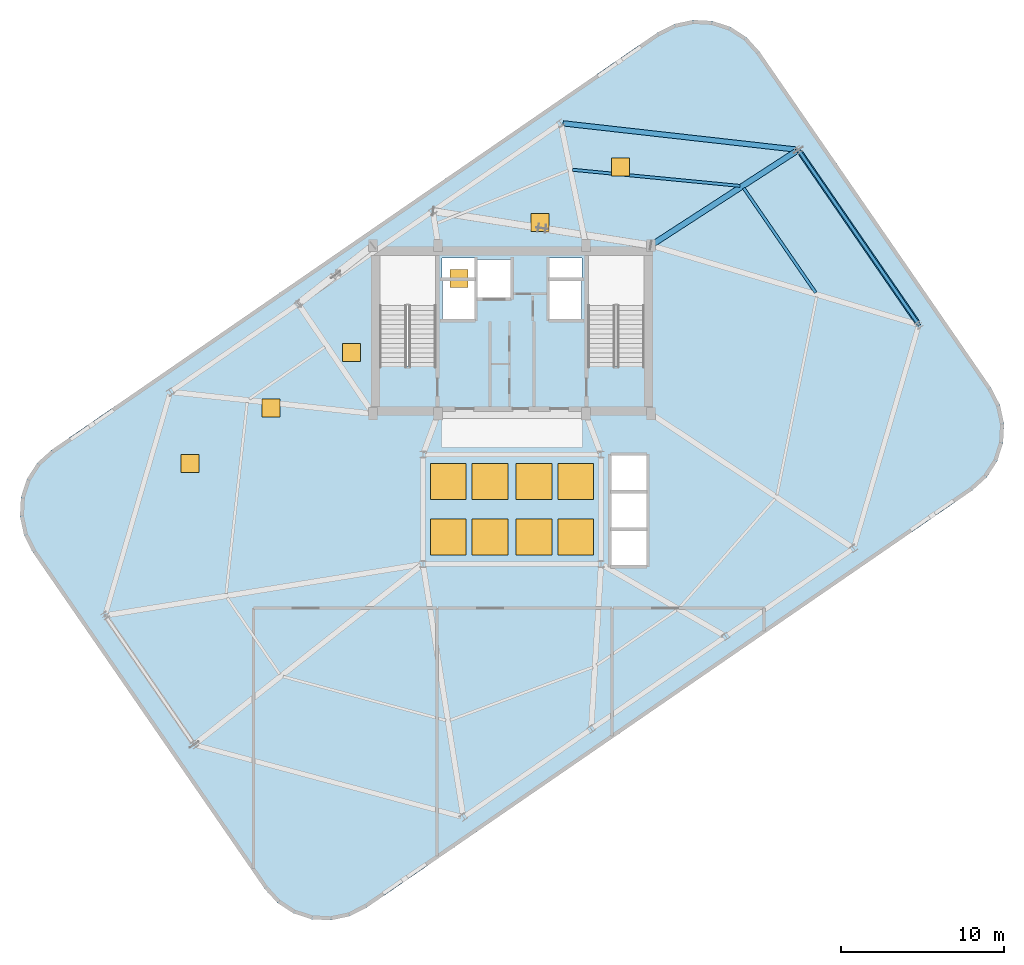
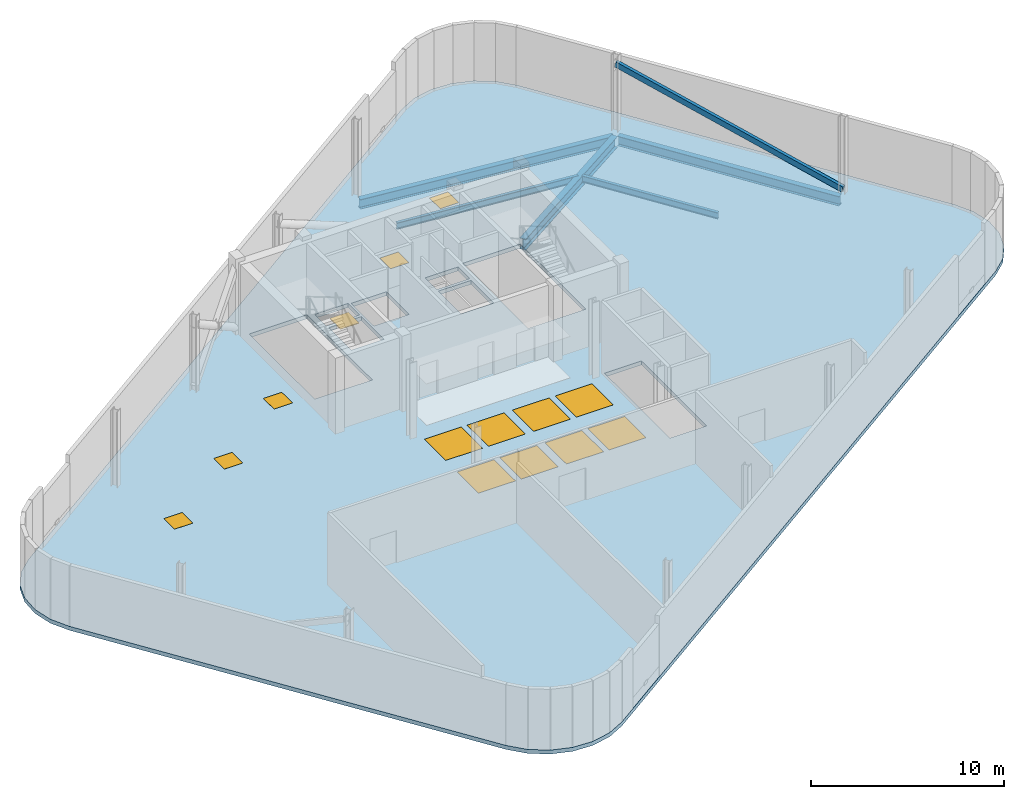
# One storey, part 2 of 9: 8 windows, 6 doors, 5 beams, 1 member, 1 slab, 14 openings.
"""IFC4 building model written with IfcOpenShell, lengths in metres."""

from ifc_helpers import new_model, si_unit, direction, frame, origin, origin_2d, place, context, subcontext, project, spatial, polyline, rectangle, hollow_rectangle, i_section, outline, extrude, material, layer, layer_set, material_profile, profile_set, type_object, element, fill, save


model = new_model("IFC4")

# Units and contexts
model_context = context("Model", 3, precision=1e-05, world=origin(), true_north=direction((0.0, 1.0)))
body_context = subcontext(model_context, "Body", "Model", "MODEL_VIEW")
ifc_project = project(units=[si_unit("LENGTHUNIT", "METRE"), si_unit("AREAUNIT", "SQUARE_METRE"), si_unit("VOLUMEUNIT", "CUBIC_METRE"), si_unit("PLANEANGLEUNIT", "RADIAN"), si_unit("MASSUNIT", "GRAM", prefix="KILO")], contexts=[model_context])

# Site, building, storey
site_placement = place(None, origin())
site = spatial("IfcSite", under=ifc_project, at=site_placement, CompositionType="ELEMENT")
building_placement = place(site_placement, origin())
building = spatial("IfcBuilding", under=site, at=building_placement, Name="Varnelok Gate Tower", CompositionType="ELEMENT")
storey_placement = place(building_placement, frame((0.0, 0.0, 301.10009765625)))
storey = spatial("IfcBuildingStorey", under=building, at=storey_placement, Name="L77", CompositionType="ELEMENT", Elevation=301.10009765625)

# Beams
ifc_material_1 = material(Name="Structural Steel ASTM A992 Grade 50", Category="steel")
ifc_material_profile_1 = material_profile(ifc_material_1, i_section(OverallWidth=0.180908203125, OverallDepth=0.4169921875, WebThickness=0.010986328125, FlangeThickness=0.018310546875, FilletRadius=0.013916015625, at=origin_2d()), Name="W16X57")
ifc_profile_set_1 = profile_set([ifc_material_profile_1], Name="Structural Steel ASTM A992 Grade 50")
beam_type_1 = type_object("IfcBeamType", Name="BM-JST-W16X57", PredefinedType="JOIST", material=ifc_profile_set_1)
beam_1_placement = place(storey_placement, frame((57.787841796875, 36.154296875, -0.45849609375), z_axis=(-0.567258417374, 0.823539852053, 0.0), x_axis=(-0.823539852053, -0.567258417374, 0.0)))
element("IfcBeam", 1, at=beam_1_placement, inside=storey, type_object=beam_type_1, Name="L77 Sector Floor Joist 5", PredefinedType="JOIST", context=body_context, shape_type="SweptSolid", body=[
    extrude(i_section(OverallWidth=0.180908203125, OverallDepth=0.4169921875, WebThickness=0.010986328125, FlangeThickness=0.018310546875, FilletRadius=0.013916015625, at=origin_2d()), origin(), (0.0, 0.0, 1.0), 7.780029296875),
])
beam_2_placement = place(storey_placement, frame((53.15576171875, 42.690185546875, -0.45849609375), z_axis=(-0.99538367515, 0.09597572216, 0.0), x_axis=(-0.09597572216, -0.99538367515, 0.0)))
element("IfcBeam", 2, at=beam_2_placement, inside=storey, type_object=beam_type_1, Name="L77 Sector Floor Joist 6", PredefinedType="JOIST", context=body_context, shape_type="SweptSolid", body=[
    extrude(i_section(OverallWidth=0.180908203125, OverallDepth=0.4169921875, WebThickness=0.010986328125, FlangeThickness=0.018310546875, FilletRadius=0.013916015625, at=origin_2d()), origin(), (0.0, 0.0, 1.0), 10.2998046875),
])
ifc_material_profile_2 = material_profile(ifc_material_1, i_section(OverallWidth=0.35498046875, OverallDepth=0.696044921875, WebThickness=0.015380859375, FlangeThickness=0.02490234375, FilletRadius=0.02001953125, at=origin_2d()), Name="W27X146")
ifc_profile_set_2 = profile_set([ifc_material_profile_2], Name="Structural Steel ASTM A992 Grade 50")
beam_type_2 = type_object("IfcBeamType", Name="BM-PRI-W27X146", PredefinedType="BEAM", material=ifc_profile_set_2)
beam_3_placement = place(storey_placement, frame((47.825927734375, 39.131591796875, -0.59814453125), z_axis=(0.839123772817, 0.543940524225, 0.0), x_axis=(-0.543940524225, 0.839123772817, 0.0)))
element("IfcBeam", 3, at=beam_3_placement, inside=storey, type_object=beam_type_2, Name="L77 Radial Floor Girder 6", PredefinedType="BEAM", context=body_context, shape_type="SweptSolid", body=[
    extrude(i_section(OverallWidth=0.35498046875, OverallDepth=0.696044921875, WebThickness=0.015380859375, FlangeThickness=0.02490234375, FilletRadius=0.02001953125, at=origin_2d()), origin(), (0.0, 0.0, 1.0), 10.454345703125),
])
ifc_material_profile_3 = material_profile(ifc_material_1, i_section(OverallWidth=0.323974609375, OverallDepth=0.611083984375, WebThickness=0.0126953125, FlangeThickness=0.01904296875, FilletRadius=0.01806640625, at=origin_2d()), Name="W24X104")
ifc_profile_set_3 = profile_set([ifc_material_profile_3], Name="Structural Steel ASTM A992 Grade 50")
beam_type_3 = type_object("IfcBeamType", Name="BM-SPN-W24X104", PredefinedType="SPANDREL", material=ifc_profile_set_3)
beam_4_placement = place(storey_placement, frame((64.013671875, 34.317138671875, -0.5556640625), z_axis=(-0.56726612552, 0.823534542589, 0.0), x_axis=(-0.823534542589, -0.56726612552, 0.0)))
element("IfcBeam", 4, at=beam_4_placement, inside=storey, type_object=beam_type_3, Name="L77 Perimeter Spandrel Beam 5", PredefinedType="SPANDREL", context=body_context, shape_type="SweptSolid", body=[
    extrude(i_section(OverallWidth=0.323974609375, OverallDepth=0.611083984375, WebThickness=0.0126953125, FlangeThickness=0.01904296875, FilletRadius=0.01806640625, at=origin_2d()), origin(), (0.0, 0.0, 1.0), 12.7001953125),
])
beam_5_placement = place(storey_placement, frame((56.5751953125, 44.91650390625, -0.5556640625), z_axis=(-0.993722587756, 0.111872331629, 0.0), x_axis=(-0.111872331629, -0.993722587756, 0.0)))
element("IfcBeam", 5, at=beam_5_placement, inside=storey, type_object=beam_type_3, Name="L77 Perimeter Spandrel Beam 6", PredefinedType="SPANDREL", context=body_context, shape_type="SweptSolid", body=[
    extrude(i_section(OverallWidth=0.323974609375, OverallDepth=0.611083984375, WebThickness=0.0126953125, FlangeThickness=0.01904296875, FilletRadius=0.01806640625, at=origin_2d()), origin(), (0.0, 0.0, 1.0), 14.337890625),
])

# Member
ifc_material_2 = material(Name="Structural Steel ASTM A500 Grade C", Category="steel")
ifc_material_profile_4 = material_profile(ifc_material_2, hollow_rectangle(XDim=0.199951171875, YDim=0.35009765625, WallThickness=0.012451171875, at=origin_2d()), Name="HSS350X200X12")
ifc_profile_set_4 = profile_set([ifc_material_profile_4], Name="Structural Steel ASTM A500 Grade C")
member_type = type_object("IfcMemberType", Name="MEM-BLT-BRACE2", PredefinedType="BRACE", material=ifc_profile_set_4)
member_placement = place(storey_placement, frame((64.0986328125, 34.193603515625, 0.199951171875), z_axis=(-0.542180444552, 0.787118349153, 0.294083440493), x_axis=(-0.823535285572, -0.567265046885, 0.0)))
element("IfcMember", 6, at=member_placement, inside=storey, type_object=member_type, Name="L77 Belt Truss Diagonal Brace 1", PredefinedType="BRACE", context=body_context, shape_type="SweptSolid", body=[
    extrude(hollow_rectangle(XDim=0.199951171875, YDim=0.35009765625, WallThickness=0.012451171875, at=origin_2d()), origin(), (0.0, 0.0, 1.0), 13.6015625),
])

# Slab, openings, doors, windows
ifc_material_3 = material(Name="Concrete C50/60", Category="concrete")
ifc_layer = layer(ifc_material_3, 0.25)
ifc_layer_set = layer_set([ifc_layer], Name="Concrete C50/60")
slab_type = type_object("IfcSlabType", Name="SLB-TYP-250", PredefinedType="FLOOR", material=ifc_layer_set)
slab_placement = place(storey_placement, frame((0.0, 0.0, -0.25)))
slab = element("IfcSlab", 7, at=slab_placement, inside=storey, type_object=slab_type, Name="L77 Structural Floor Slab", PredefinedType="FLOOR", context=body_context, shape_type="SweptSolid", body=[
    extrude(outline(polyline([(24.055419921875, -0.310302734375), (24.84228515625, -1.1826171875), (25.828369140625, -1.8212890625), (26.94580078125, -2.18310546875), (28.119140625, -2.243408203125), (29.26806640625, -1.998046875), (30.314208984375, -1.463623046875), (67.373046875, 24.0634765625), (68.245361328125, 24.850341796875), (68.884033203125, 25.83642578125), (69.245849609375, 26.9541015625), (69.30615234375, 28.127197265625), (69.060791015625, 29.27587890625), (68.526123046875, 30.322021484375), (54.344482421875, 50.910400390625), (53.5576171875, 51.78271484375), (52.57177734375, 52.42138671875), (51.4541015625, 52.783203125), (50.281005859375, 52.843505859375), (49.132080078125, 52.59814453125), (48.0859375, 52.063720703125), (11.02685546875, 26.53662109375), (10.15478515625, 25.74951171875), (9.51611328125, 24.763671875), (9.154052734375, 23.64599609375), (9.093994140625, 22.472900390625), (9.33935546875, 21.323974609375), (9.873779296875, 20.27783203125), (24.055419921875, -0.310302734375)]), holes=[polyline([(34.550048828125, 31.679931640625), (34.550048828125, 38.449951171875), (31.10009765625, 38.449951171875), (31.10009765625, 31.679931640625), (34.550048828125, 31.679931640625)]), polyline([(47.300048828125, 31.679931640625), (47.300048828125, 38.449951171875), (43.85009765625, 38.449951171875), (43.85009765625, 31.679931640625), (47.300048828125, 31.679931640625)]), polyline([(34.949951171875, 34.550048828125), (36.89990234375, 34.550048828125), (36.89990234375, 36.89990234375), (34.949951171875, 36.89990234375), (34.949951171875, 34.550048828125)]), polyline([(41.5, 34.550048828125), (43.449951171875, 34.550048828125), (43.449951171875, 36.89990234375), (41.5, 36.89990234375), (41.5, 34.550048828125)]), polyline([(37.050048828125, 35.85009765625), (39.14990234375, 35.85009765625), (39.14990234375, 38.199951171875), (37.050048828125, 38.199951171875), (37.050048828125, 35.85009765625)]), polyline([(45.25, 19.449951171875), (47.449951171875, 19.449951171875), (47.449951171875, 26.199951171875), (45.25, 26.199951171875), (45.25, 19.449951171875)]), polyline([(34.919921875, 37.080078125), (36.89990234375, 37.080078125), (36.89990234375, 38.280029296875), (34.919921875, 38.280029296875), (34.919921875, 37.080078125)]), polyline([(41.5, 37.080078125), (43.47998046875, 37.080078125), (43.47998046875, 38.280029296875), (41.5, 38.280029296875), (41.5, 37.080078125)])]), origin(), (0.0, 0.0, 1.0), 0.25),
])
opening_1_placement = place(slab_placement, frame((35.300048828125, 21.199951171875, 0.0)))
opening_1 = element("IfcOpeningElement", 8, at=opening_1_placement, cuts=slab, Name="Opening SK1", PredefinedType="OPENING", context=body_context, shape_type="SweptSolid", body=[
    extrude(rectangle(XDim=2.199951171875, YDim=2.199951171875, at=origin_2d()), origin(), (0.0, 0.0, 1.0), 0.25),
])
opening_2_placement = place(slab_placement, frame((37.85009765625, 21.199951171875, 0.0)))
opening_2 = element("IfcOpeningElement", 9, at=opening_2_placement, cuts=slab, Name="Opening SK1", PredefinedType="OPENING", context=body_context, shape_type="SweptSolid", body=[
    extrude(rectangle(XDim=2.199951171875, YDim=2.199951171875, at=origin_2d()), origin(), (0.0, 0.0, 1.0), 0.25),
])
opening_3_placement = place(slab_placement, frame((40.550048828125, 21.199951171875, 0.0)))
opening_3 = element("IfcOpeningElement", 10, at=opening_3_placement, cuts=slab, Name="Opening SK1", PredefinedType="OPENING", context=body_context, shape_type="SweptSolid", body=[
    extrude(rectangle(XDim=2.199951171875, YDim=2.199951171875, at=origin_2d()), origin(), (0.0, 0.0, 1.0), 0.25),
])
opening_4_placement = place(slab_placement, frame((43.10009765625, 21.199951171875, 0.0)))
opening_4 = element("IfcOpeningElement", 11, at=opening_4_placement, cuts=slab, Name="Opening SK1", PredefinedType="OPENING", context=body_context, shape_type="SweptSolid", body=[
    extrude(rectangle(XDim=2.199951171875, YDim=2.199951171875, at=origin_2d()), origin(), (0.0, 0.0, 1.0), 0.25),
])
opening_5_placement = place(slab_placement, frame((35.300048828125, 24.60009765625, 0.0)))
opening_5 = element("IfcOpeningElement", 12, at=opening_5_placement, cuts=slab, Name="Opening SK1", PredefinedType="OPENING", context=body_context, shape_type="SweptSolid", body=[
    extrude(rectangle(XDim=2.199951171875, YDim=2.199951171875, at=origin_2d()), origin(), (0.0, 0.0, 1.0), 0.25),
])
opening_6_placement = place(slab_placement, frame((37.85009765625, 24.60009765625, 0.0)))
opening_6 = element("IfcOpeningElement", 13, at=opening_6_placement, cuts=slab, Name="Opening SK1", PredefinedType="OPENING", context=body_context, shape_type="SweptSolid", body=[
    extrude(rectangle(XDim=2.199951171875, YDim=2.199951171875, at=origin_2d()), origin(), (0.0, 0.0, 1.0), 0.25),
])
opening_7_placement = place(slab_placement, frame((40.550048828125, 24.60009765625, 0.0)))
opening_7 = element("IfcOpeningElement", 14, at=opening_7_placement, cuts=slab, Name="Opening SK1", PredefinedType="OPENING", context=body_context, shape_type="SweptSolid", body=[
    extrude(rectangle(XDim=2.199951171875, YDim=2.199951171875, at=origin_2d()), origin(), (0.0, 0.0, 1.0), 0.25),
])
opening_8_placement = place(slab_placement, frame((43.10009765625, 24.60009765625, 0.0)))
opening_8 = element("IfcOpeningElement", 15, at=opening_8_placement, cuts=slab, Name="Opening SK1", PredefinedType="OPENING", context=body_context, shape_type="SweptSolid", body=[
    extrude(rectangle(XDim=2.199951171875, YDim=2.199951171875, at=origin_2d()), origin(), (0.0, 0.0, 1.0), 0.25),
])
opening_9_placement = place(slab_placement, frame((19.5, 25.6943359375, 0.0)))
opening_9 = element("IfcOpeningElement", 16, at=opening_9_placement, cuts=slab, Name="Opening RTD-1", PredefinedType="OPENING", context=body_context, shape_type="SweptSolid", body=[
    extrude(rectangle(XDim=1.10009765625, YDim=1.10009765625, at=origin_2d()), origin(), (0.0, 0.0, 1.0), 0.25),
])
opening_10_placement = place(slab_placement, frame((24.441162109375, 29.097900390625, 0.0)))
opening_10 = element("IfcOpeningElement", 17, at=opening_10_placement, cuts=slab, Name="Opening RTD-1", PredefinedType="OPENING", context=body_context, shape_type="SweptSolid", body=[
    extrude(rectangle(XDim=1.10009765625, YDim=1.10009765625, at=origin_2d()), origin(), (0.0, 0.0, 1.0), 0.25),
])
opening_11_placement = place(slab_placement, frame((29.38232421875, 32.50146484375, 0.0)))
opening_11 = element("IfcOpeningElement", 18, at=opening_11_placement, cuts=slab, Name="Opening RTD-1", PredefinedType="OPENING", context=body_context, shape_type="SweptSolid", body=[
    extrude(rectangle(XDim=1.10009765625, YDim=1.10009765625, at=origin_2d()), origin(), (0.0, 0.0, 1.0), 0.25),
])
opening_12_placement = place(slab_placement, frame((35.970458984375, 37.039794921875, 0.0)))
opening_12 = element("IfcOpeningElement", 19, at=opening_12_placement, cuts=slab, Name="Opening RTD-1", PredefinedType="OPENING", context=body_context, shape_type="SweptSolid", body=[
    extrude(rectangle(XDim=1.10009765625, YDim=1.10009765625, at=origin_2d()), origin(), (0.0, 0.0, 1.0), 0.25),
])
opening_13_placement = place(slab_placement, frame((40.91162109375, 40.443359375, 0.0)))
opening_13 = element("IfcOpeningElement", 20, at=opening_13_placement, cuts=slab, Name="Opening RTD-1", PredefinedType="OPENING", context=body_context, shape_type="SweptSolid", body=[
    extrude(rectangle(XDim=1.10009765625, YDim=1.10009765625, at=origin_2d()), origin(), (0.0, 0.0, 1.0), 0.25),
])
opening_14_placement = place(slab_placement, frame((45.852783203125, 43.846923828125, 0.0)))
opening_14 = element("IfcOpeningElement", 21, at=opening_14_placement, cuts=slab, Name="Opening RTD-1", PredefinedType="OPENING", context=body_context, shape_type="SweptSolid", body=[
    extrude(rectangle(XDim=1.10009765625, YDim=1.10009765625, at=origin_2d()), origin(), (0.0, 0.0, 1.0), 0.25),
])
ifc_material_4 = material(Name="Galvanized Steel Grade S350GD", Category="steel")
door_type = type_object("IfcDoorType", Name="DR-ROOF-TRAP1100", OperationType="SINGLE_SWING_LEFT", PredefinedType="TRAPDOOR", material=ifc_material_4)
door_1_placement = place(opening_9_placement, frame((0.0, 0.0, 0.199951171875)))
door_1 = element("IfcDoor", 22, at=door_1_placement, inside=storey, type_object=door_type, Name="L77 Crown Plenum Access Trapdoor 1", OperationType="SINGLE_SWING_LEFT", OverallHeight=1.10009765625, OverallWidth=1.10009765625, PredefinedType="TRAPDOOR", context=body_context, shape_type="SweptSolid", body=[
    extrude(rectangle(XDim=1.10009765625, YDim=1.10009765625, at=origin_2d()), origin(), (0.0, 0.0, 1.0), 0.050048828125),
])
fill(opening_9, door_1)
door_2_placement = place(opening_10_placement, frame((0.0, 0.0, 0.199951171875)))
door_2 = element("IfcDoor", 23, at=door_2_placement, inside=storey, type_object=door_type, Name="L77 Crown Plenum Access Trapdoor 2", OperationType="SINGLE_SWING_LEFT", OverallHeight=1.10009765625, OverallWidth=1.10009765625, PredefinedType="TRAPDOOR", context=body_context, shape_type="SweptSolid", body=[
    extrude(rectangle(XDim=1.10009765625, YDim=1.10009765625, at=origin_2d()), origin(), (0.0, 0.0, 1.0), 0.050048828125),
])
fill(opening_10, door_2)
door_3_placement = place(opening_11_placement, frame((0.0, 0.0, 0.199951171875)))
door_3 = element("IfcDoor", 24, at=door_3_placement, inside=storey, type_object=door_type, Name="L77 Crown Plenum Access Trapdoor 3", OperationType="SINGLE_SWING_LEFT", OverallHeight=1.10009765625, OverallWidth=1.10009765625, PredefinedType="TRAPDOOR", context=body_context, shape_type="SweptSolid", body=[
    extrude(rectangle(XDim=1.10009765625, YDim=1.10009765625, at=origin_2d()), origin(), (0.0, 0.0, 1.0), 0.050048828125),
])
fill(opening_11, door_3)
door_4_placement = place(opening_12_placement, frame((0.0, 0.0, 0.199951171875)))
door_4 = element("IfcDoor", 25, at=door_4_placement, inside=storey, type_object=door_type, Name="L77 Crown Plenum Access Trapdoor 4", OperationType="SINGLE_SWING_LEFT", OverallHeight=1.10009765625, OverallWidth=1.10009765625, PredefinedType="TRAPDOOR", context=body_context, shape_type="SweptSolid", body=[
    extrude(rectangle(XDim=1.10009765625, YDim=1.10009765625, at=origin_2d()), origin(), (0.0, 0.0, 1.0), 0.050048828125),
])
fill(opening_12, door_4)
door_5_placement = place(opening_13_placement, frame((0.0, 0.0, 0.199951171875)))
door_5 = element("IfcDoor", 26, at=door_5_placement, inside=storey, type_object=door_type, Name="L77 Crown Plenum Access Trapdoor 5", OperationType="SINGLE_SWING_LEFT", OverallHeight=1.10009765625, OverallWidth=1.10009765625, PredefinedType="TRAPDOOR", context=body_context, shape_type="SweptSolid", body=[
    extrude(rectangle(XDim=1.10009765625, YDim=1.10009765625, at=origin_2d()), origin(), (0.0, 0.0, 1.0), 0.050048828125),
])
fill(opening_13, door_5)
door_6_placement = place(opening_14_placement, frame((0.0, 0.0, 0.199951171875)))
door_6 = element("IfcDoor", 27, at=door_6_placement, inside=storey, type_object=door_type, Name="L77 Crown Plenum Access Trapdoor 6", OperationType="SINGLE_SWING_LEFT", OverallHeight=1.10009765625, OverallWidth=1.10009765625, PredefinedType="TRAPDOOR", context=body_context, shape_type="SweptSolid", body=[
    extrude(rectangle(XDim=1.10009765625, YDim=1.10009765625, at=origin_2d()), origin(), (0.0, 0.0, 1.0), 0.050048828125),
])
fill(opening_14, door_6)
ifc_material_5 = material(Name="Low-E Laminated Double Glazing IGU", Category="glass")
window_type = type_object("IfcWindowType", Name="SKY-ATR-2200", PartitioningType="SINGLE_PANEL", PredefinedType="SKYLIGHT", material=ifc_material_5)
window_1_placement = place(opening_1_placement, frame((0.0, 0.0, 0.199951171875)))
window_1 = element("IfcWindow", 28, at=window_1_placement, inside=storey, type_object=window_type, Name="Atrium Daylighting Roof Skylight SK-01", OverallHeight=2.199951171875, OverallWidth=2.199951171875, PartitioningType="SINGLE_PANEL", PredefinedType="SKYLIGHT", context=body_context, shape_type="SweptSolid", body=[
    extrude(rectangle(XDim=2.199951171875, YDim=2.199951171875, at=origin_2d()), origin(), (0.0, 0.0, 1.0), 0.050048828125),
])
fill(opening_1, window_1)
window_2_placement = place(opening_2_placement, frame((0.0, 0.0, 0.199951171875)))
window_2 = element("IfcWindow", 29, at=window_2_placement, inside=storey, type_object=window_type, Name="Atrium Daylighting Roof Skylight SK-02", OverallHeight=2.199951171875, OverallWidth=2.199951171875, PartitioningType="SINGLE_PANEL", PredefinedType="SKYLIGHT", context=body_context, shape_type="SweptSolid", body=[
    extrude(rectangle(XDim=2.199951171875, YDim=2.199951171875, at=origin_2d()), origin(), (0.0, 0.0, 1.0), 0.050048828125),
])
fill(opening_2, window_2)
window_3_placement = place(opening_3_placement, frame((0.0, 0.0, 0.199951171875)))
window_3 = element("IfcWindow", 30, at=window_3_placement, inside=storey, type_object=window_type, Name="Atrium Daylighting Roof Skylight SK-03", OverallHeight=2.199951171875, OverallWidth=2.199951171875, PartitioningType="SINGLE_PANEL", PredefinedType="SKYLIGHT", context=body_context, shape_type="SweptSolid", body=[
    extrude(rectangle(XDim=2.199951171875, YDim=2.199951171875, at=origin_2d()), origin(), (0.0, 0.0, 1.0), 0.050048828125),
])
fill(opening_3, window_3)
window_4_placement = place(opening_4_placement, frame((0.0, 0.0, 0.199951171875)))
window_4 = element("IfcWindow", 31, at=window_4_placement, inside=storey, type_object=window_type, Name="Atrium Daylighting Roof Skylight SK-04", OverallHeight=2.199951171875, OverallWidth=2.199951171875, PartitioningType="SINGLE_PANEL", PredefinedType="SKYLIGHT", context=body_context, shape_type="SweptSolid", body=[
    extrude(rectangle(XDim=2.199951171875, YDim=2.199951171875, at=origin_2d()), origin(), (0.0, 0.0, 1.0), 0.050048828125),
])
fill(opening_4, window_4)
window_5_placement = place(opening_5_placement, frame((0.0, 0.0, 0.199951171875)))
window_5 = element("IfcWindow", 32, at=window_5_placement, inside=storey, type_object=window_type, Name="Atrium Daylighting Roof Skylight SK-05", OverallHeight=2.199951171875, OverallWidth=2.199951171875, PartitioningType="SINGLE_PANEL", PredefinedType="SKYLIGHT", context=body_context, shape_type="SweptSolid", body=[
    extrude(rectangle(XDim=2.199951171875, YDim=2.199951171875, at=origin_2d()), origin(), (0.0, 0.0, 1.0), 0.050048828125),
])
fill(opening_5, window_5)
window_6_placement = place(opening_6_placement, frame((0.0, 0.0, 0.199951171875)))
window_6 = element("IfcWindow", 33, at=window_6_placement, inside=storey, type_object=window_type, Name="Atrium Daylighting Roof Skylight SK-06", OverallHeight=2.199951171875, OverallWidth=2.199951171875, PartitioningType="SINGLE_PANEL", PredefinedType="SKYLIGHT", context=body_context, shape_type="SweptSolid", body=[
    extrude(rectangle(XDim=2.199951171875, YDim=2.199951171875, at=origin_2d()), origin(), (0.0, 0.0, 1.0), 0.050048828125),
])
fill(opening_6, window_6)
window_7_placement = place(opening_7_placement, frame((0.0, 0.0, 0.199951171875)))
window_7 = element("IfcWindow", 34, at=window_7_placement, inside=storey, type_object=window_type, Name="Atrium Daylighting Roof Skylight SK-07", OverallHeight=2.199951171875, OverallWidth=2.199951171875, PartitioningType="SINGLE_PANEL", PredefinedType="SKYLIGHT", context=body_context, shape_type="SweptSolid", body=[
    extrude(rectangle(XDim=2.199951171875, YDim=2.199951171875, at=origin_2d()), origin(), (0.0, 0.0, 1.0), 0.050048828125),
])
fill(opening_7, window_7)
window_8_placement = place(opening_8_placement, frame((0.0, 0.0, 0.199951171875)))
window_8 = element("IfcWindow", 35, at=window_8_placement, inside=storey, type_object=window_type, Name="Atrium Daylighting Roof Skylight SK-08", OverallHeight=2.199951171875, OverallWidth=2.199951171875, PartitioningType="SINGLE_PANEL", PredefinedType="SKYLIGHT", context=body_context, shape_type="SweptSolid", body=[
    extrude(rectangle(XDim=2.199951171875, YDim=2.199951171875, at=origin_2d()), origin(), (0.0, 0.0, 1.0), 0.050048828125),
])
fill(opening_8, window_8)

save(model, "model.ifc")
